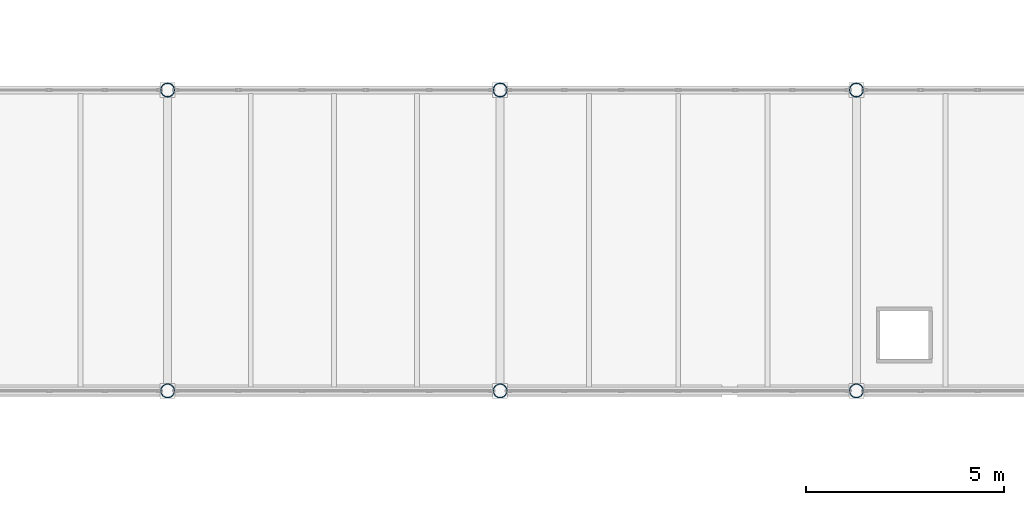
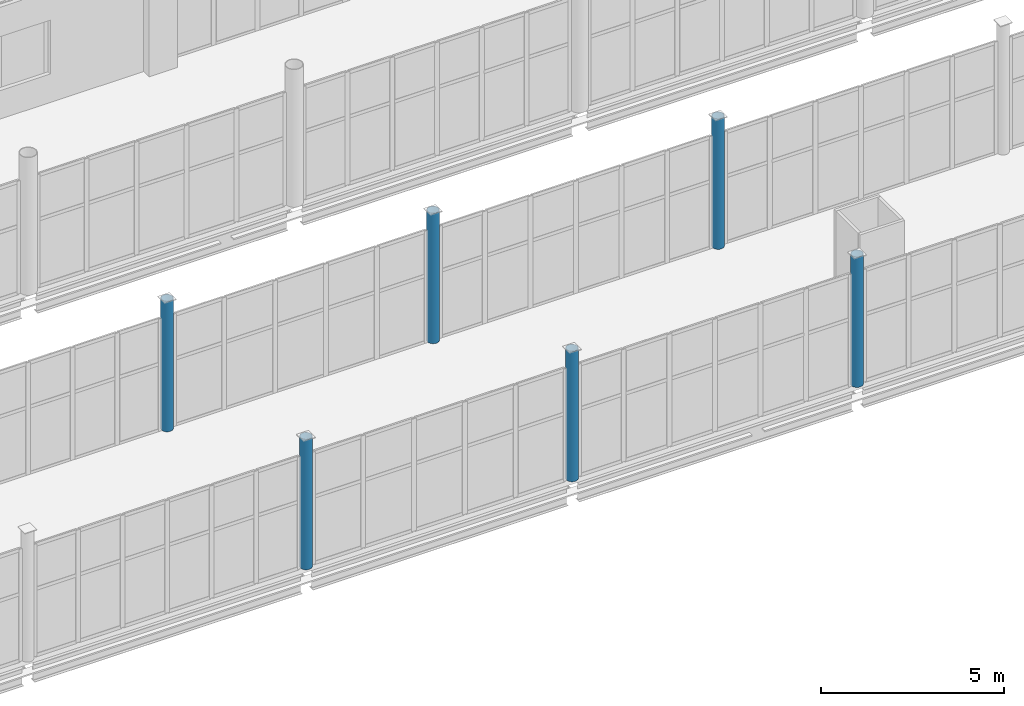
# One storey, part 6 of 172: 6 columns.
"""IFC4 building model written with IfcOpenShell, lengths in metres."""

from ifc_helpers import new_model, si_unit, direction, frame, origin, origin_2d, place, context, subcontext, project, spatial, hollow_circle, extrude, material, material_profile, profile_set, type_object, element, save


model = new_model("IFC4")

# Units and contexts
model_context = context("Model", 3, precision=1e-05, world=origin(), true_north=direction((0.0, 1.0)))
body_context = subcontext(model_context, "Body", "Model", "MODEL_VIEW")
ifc_project = project(units=[si_unit("LENGTHUNIT", "METRE"), si_unit("AREAUNIT", "SQUARE_METRE"), si_unit("VOLUMEUNIT", "CUBIC_METRE"), si_unit("PLANEANGLEUNIT", "RADIAN"), si_unit("MASSUNIT", "GRAM", prefix="KILO")], contexts=[model_context])

# Site, building, storey
site_placement = place(None, origin())
site = spatial("IfcSite", under=ifc_project, at=site_placement, CompositionType="ELEMENT")
building_placement = place(site_placement, origin())
building = spatial("IfcBuilding", under=site, at=building_placement, Name="Shengluoqiao Park Theatre", CompositionType="ELEMENT")
storey_placement = place(building_placement, frame((0.0, 0.0, 5.39990234375)))
storey = spatial("IfcBuildingStorey", under=building, at=storey_placement, Name="L01", CompositionType="ELEMENT", Elevation=5.39990234375)

# Columns
ifc_material = material(Name="Steel Q355", Category="steel")
ifc_material_profile = material_profile(ifc_material, hollow_circle(Radius=0.177978515625, WallThickness=0.013916015625, at=origin_2d()), Name="CHS 356x14")
ifc_profile_set = profile_set([ifc_material_profile], Name="Steel Q355")
column_type = type_object("IfcColumnType", Name="STR-COL-C-CHS356", PredefinedType="COLUMN", material=ifc_profile_set)
for number, where, z_axis, x_axis, name in (
    (1, (104.0, 53.199951171875, 0.0), (0.0, 0.0, 1.0), (1.0, 0.0, 0.0), "L01 Column 0492"),
    (2, (104.0, 60.800048828125, 0.0), (0.0, 0.0, 1.0), (1.0, 0.0, 0.0), "L01 Column 0494"),
    (3, (112.39990234375, 53.199951171875, 0.0), (0.0, 0.0, 1.0), (1.0, 0.0, 0.0), "L01 Column 0538"),
    (4, (112.39990234375, 60.800048828125, 0.0), (0.0, 0.0, 1.0), (1.0, 0.0, 0.0), "L01 Column 0540"),
    (5, (121.39990234375, 53.199951171875, 0.0), (0.0, 0.0, 1.0), (1.0, 0.0, 0.0), "L01 Column 0584"),
    (6, (121.39990234375, 60.800048828125, 0.0), (0.0, 0.0, 1.0), (1.0, 0.0, 0.0), "L01 Column 0586"),
):
    element("IfcColumn", number, at=place(storey_placement, frame(where, z_axis=z_axis, x_axis=x_axis)), inside=storey, type_object=column_type, Name=name, PredefinedType="COLUMN", context=body_context, shape_type="SweptSolid", body=[
        extrude(hollow_circle(Radius=0.177978515625, WallThickness=0.013916015625, at=origin_2d()), origin(), (0.0, 0.0, 1.0), 4.35009765625),
    ])

save(model, "model.ifc")
